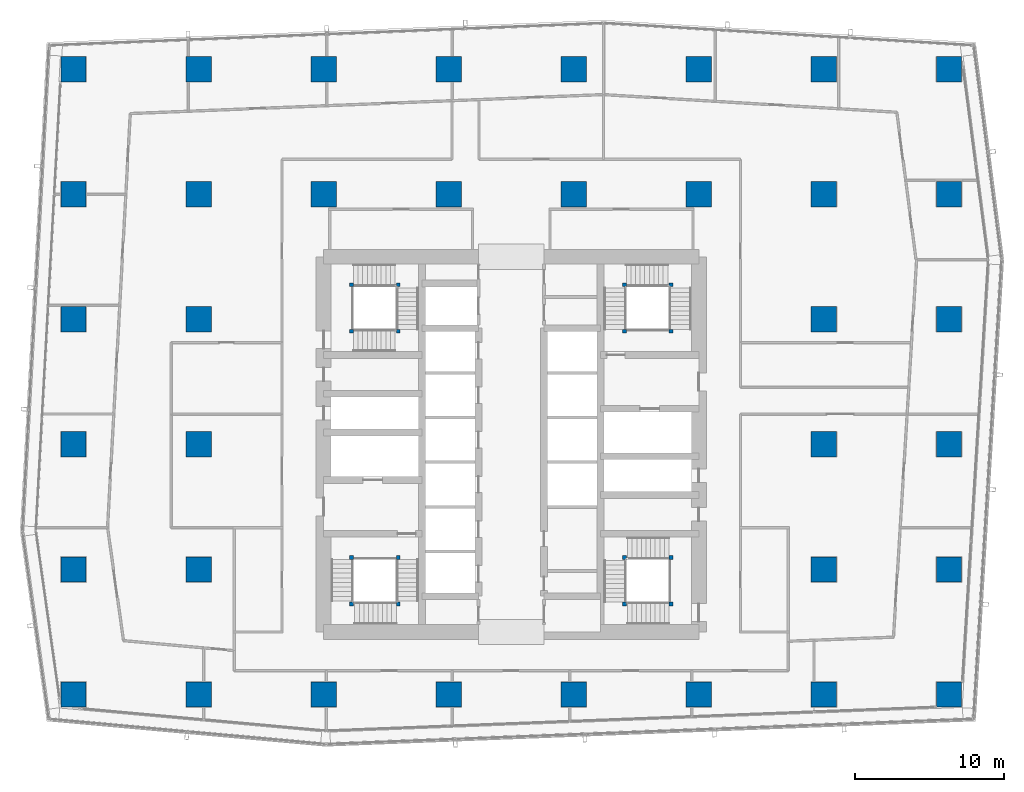
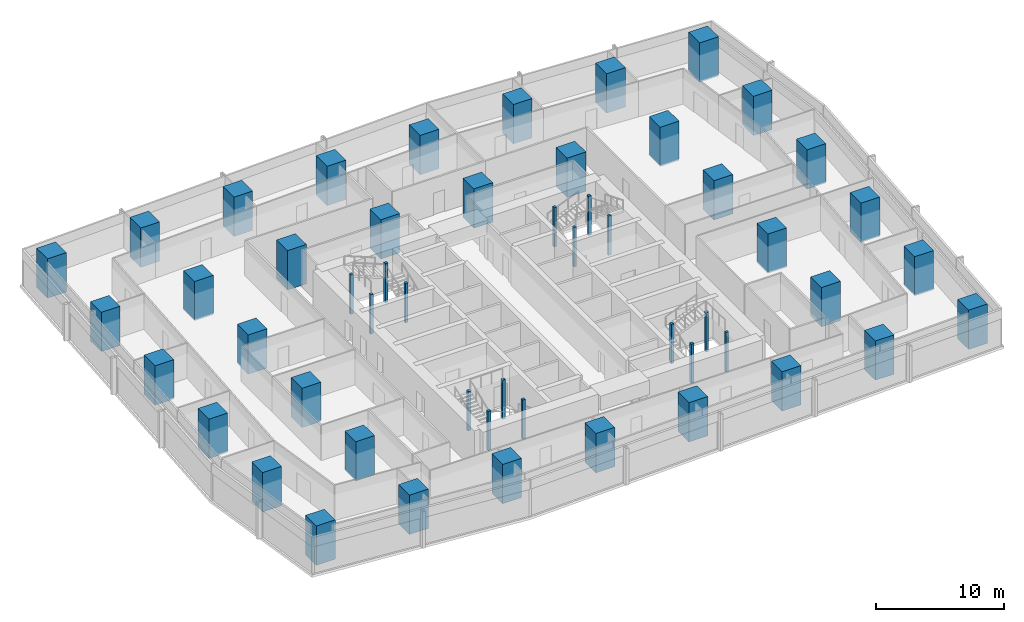
# One storey, part 1 of 40: 52 columns.
"""IFC4 building model written with IfcOpenShell, lengths in metres."""

from ifc_helpers import new_model, si_unit, direction, frame, origin, origin_2d, place, context, subcontext, project, spatial, rectangle, extrude, material, material_profile, profile_set, type_object, element, save


model = new_model("IFC4")

# Units and contexts
model_context = context("Model", 3, precision=1e-05, world=origin(), true_north=direction((0.0, 1.0)))
body_context = subcontext(model_context, "Body", "Model", "MODEL_VIEW")
ifc_project = project(units=[si_unit("LENGTHUNIT", "METRE"), si_unit("AREAUNIT", "SQUARE_METRE"), si_unit("VOLUMEUNIT", "CUBIC_METRE"), si_unit("PLANEANGLEUNIT", "RADIAN"), si_unit("MASSUNIT", "GRAM", prefix="KILO")], contexts=[model_context])

# Site, building, storey
site_placement = place(None, origin())
site = spatial("IfcSite", under=ifc_project, at=site_placement, CompositionType="ELEMENT")
building_placement = place(site_placement, origin())
building = spatial("IfcBuilding", under=site, at=building_placement, Name="Rekha Terrace Tower", CompositionType="ELEMENT")
storey_placement = place(building_placement, frame((0.0, 0.0, 117.800048828125)))
storey = spatial("IfcBuildingStorey", under=building, at=storey_placement, Name="L29", CompositionType="ELEMENT", Elevation=117.800048828125)

# Columns
ifc_material_1 = material(Name="Concrete M70", Category="concrete")
ifc_material_profile_1 = material_profile(ifc_material_1, rectangle(XDim=1.699951171875, YDim=1.699951171875, at=origin_2d()), Name="RC 1700x1700")
ifc_profile_set_1 = profile_set([ifc_material_profile_1], Name="Concrete M70")
column_type_1 = type_object("IfcColumnType", Name="C3 1700x1700 column", PredefinedType="COLUMN", material=ifc_profile_set_1)
for number, where, z_axis, x_axis, name in (
    (1, (8.39990234375, 16.800048828125, 0.0), (0.0, 0.0, 1.0), (1.0, 0.0, 0.0), "Column C3 2/C L29"),
    (2, (8.39990234375, 25.199951171875, 0.0), (0.0, 0.0, 1.0), (1.0, 0.0, 0.0), "Column C3 2/D L29"),
    (3, (8.39990234375, 33.60009765625, 0.0), (0.0, 0.0, 1.0), (1.0, 0.0, 0.0), "Column C3 2/E L29"),
    (4, (8.39990234375, 42.0, 0.0), (0.0, 0.0, 1.0), (1.0, 0.0, 0.0), "Column C3 2/F L29"),
    (5, (8.39990234375, 50.39990234375, 0.0), (0.0, 0.0, 1.0), (1.0, 0.0, 0.0), "Column C3 2/G L29"),
    (6, (8.39990234375, 58.800048828125, 0.0), (0.0, 0.0, 1.0), (1.0, 0.0, 0.0), "Column C3 2/H L29"),
    (7, (16.800048828125, 16.800048828125, 0.0), (0.0, 0.0, 1.0), (1.0, 0.0, 0.0), "Column C3 3/C L29"),
    (8, (16.800048828125, 25.199951171875, 0.0), (0.0, 0.0, 1.0), (1.0, 0.0, 0.0), "Column C3 3/D L29"),
    (9, (16.800048828125, 33.60009765625, 0.0), (0.0, 0.0, 1.0), (1.0, 0.0, 0.0), "Column C3 3/E L29"),
    (10, (16.800048828125, 42.0, 0.0), (0.0, 0.0, 1.0), (1.0, 0.0, 0.0), "Column C3 3/F L29"),
    (11, (16.800048828125, 50.39990234375, 0.0), (0.0, 0.0, 1.0), (1.0, 0.0, 0.0), "Column C3 3/G L29"),
    (12, (16.800048828125, 58.800048828125, 0.0), (0.0, 0.0, 1.0), (1.0, 0.0, 0.0), "Column C3 3/H L29"),
    (13, (25.199951171875, 16.800048828125, 0.0), (0.0, 0.0, 1.0), (1.0, 0.0, 0.0), "Column C3 4/C L29"),
    (14, (25.199951171875, 50.39990234375, 0.0), (0.0, 0.0, 1.0), (1.0, 0.0, 0.0), "Column C3 4/G L29"),
    (15, (25.199951171875, 58.800048828125, 0.0), (0.0, 0.0, 1.0), (1.0, 0.0, 0.0), "Column C3 4/H L29"),
    (16, (33.60009765625, 16.800048828125, 0.0), (0.0, 0.0, 1.0), (1.0, 0.0, 0.0), "Column C3 5/C L29"),
    (17, (33.60009765625, 50.39990234375, 0.0), (0.0, 0.0, 1.0), (1.0, 0.0, 0.0), "Column C3 5/G L29"),
    (18, (33.60009765625, 58.800048828125, 0.0), (0.0, 0.0, 1.0), (1.0, 0.0, 0.0), "Column C3 5/H L29"),
    (19, (42.0, 16.800048828125, 0.0), (0.0, 0.0, 1.0), (1.0, 0.0, 0.0), "Column C3 6/C L29"),
    (20, (42.0, 50.39990234375, 0.0), (0.0, 0.0, 1.0), (1.0, 0.0, 0.0), "Column C3 6/G L29"),
    (21, (42.0, 58.800048828125, 0.0), (0.0, 0.0, 1.0), (1.0, 0.0, 0.0), "Column C3 6/H L29"),
    (22, (50.39990234375, 16.800048828125, 0.0), (0.0, 0.0, 1.0), (1.0, 0.0, 0.0), "Column C3 7/C L29"),
    (23, (50.39990234375, 50.39990234375, 0.0), (0.0, 0.0, 1.0), (1.0, 0.0, 0.0), "Column C3 7/G L29"),
    (24, (50.39990234375, 58.800048828125, 0.0), (0.0, 0.0, 1.0), (1.0, 0.0, 0.0), "Column C3 7/H L29"),
    (25, (58.800048828125, 16.800048828125, 0.0), (0.0, 0.0, 1.0), (1.0, 0.0, 0.0), "Column C3 8/C L29"),
    (26, (58.800048828125, 25.199951171875, 0.0), (0.0, 0.0, 1.0), (1.0, 0.0, 0.0), "Column C3 8/D L29"),
    (27, (58.800048828125, 33.60009765625, 0.0), (0.0, 0.0, 1.0), (1.0, 0.0, 0.0), "Column C3 8/E L29"),
    (28, (58.800048828125, 42.0, 0.0), (0.0, 0.0, 1.0), (1.0, 0.0, 0.0), "Column C3 8/F L29"),
    (29, (58.800048828125, 50.39990234375, 0.0), (0.0, 0.0, 1.0), (1.0, 0.0, 0.0), "Column C3 8/G L29"),
    (30, (58.800048828125, 58.800048828125, 0.0), (0.0, 0.0, 1.0), (1.0, 0.0, 0.0), "Column C3 8/H L29"),
    (31, (67.199951171875, 16.800048828125, 0.0), (0.0, 0.0, 1.0), (1.0, 0.0, 0.0), "Column C3 9/C L29"),
    (32, (67.199951171875, 25.199951171875, 0.0), (0.0, 0.0, 1.0), (1.0, 0.0, 0.0), "Column C3 9/D L29"),
    (33, (67.199951171875, 33.60009765625, 0.0), (0.0, 0.0, 1.0), (1.0, 0.0, 0.0), "Column C3 9/E L29"),
    (34, (67.199951171875, 42.0, 0.0), (0.0, 0.0, 1.0), (1.0, 0.0, 0.0), "Column C3 9/F L29"),
    (35, (67.199951171875, 50.39990234375, 0.0), (0.0, 0.0, 1.0), (1.0, 0.0, 0.0), "Column C3 9/G L29"),
    (36, (67.199951171875, 58.800048828125, 0.0), (0.0, 0.0, 1.0), (1.0, 0.0, 0.0), "Column C3 9/H L29"),
):
    element("IfcColumn", number, at=place(storey_placement, frame(where, z_axis=z_axis, x_axis=x_axis)), inside=storey, type_object=column_type_1, Name=name, PredefinedType="COLUMN", context=body_context, shape_type="SweptSolid", body=[
        extrude(rectangle(XDim=1.699951171875, YDim=1.699951171875, at=origin_2d()), origin(), (0.0, 0.0, 1.0), 3.75),
    ])
ifc_material_2 = material(Name="Concrete M60", Category="concrete")
ifc_material_profile_2 = material_profile(ifc_material_2, rectangle(XDim=0.25, YDim=0.25, at=origin_2d()), Name="RC 250x250")
ifc_profile_set_2 = profile_set([ifc_material_profile_2], Name="Concrete M60")
column_type_2 = type_object("IfcColumnType", Name="NP1 250x250 stair newel post", PredefinedType="COLUMN", material=ifc_profile_set_2)
for number, where, z_axis, x_axis, name in (
    (37, (30.199951171875, 26.0, 0.0), (0.0, 0.0, 1.0), (1.0, 0.0, 0.0), "Stair newel post NP1"),
    (38, (30.199951171875, 22.875, 0.0), (0.0, 0.0, 1.0), (1.0, 0.0, 0.0), "Stair newel post NP1"),
    (39, (27.074951171875, 22.875, 0.0), (0.0, 0.0, 1.0), (1.0, 0.0, 0.0), "Stair newel post NP1"),
    (40, (27.074951171875, 26.0, 0.0), (0.0, 0.0, 1.0), (1.0, 0.0, 0.0), "Stair newel post NP1"),
    (41, (45.39990234375, 41.199951171875, 0.0), (0.0, 0.0, 1.0), (1.0, 0.0, 0.0), "Stair newel post NP1"),
    (42, (45.39990234375, 44.324951171875, 0.0), (0.0, 0.0, 1.0), (1.0, 0.0, 0.0), "Stair newel post NP1"),
    (43, (48.52490234375, 44.324951171875, 0.0), (0.0, 0.0, 1.0), (1.0, 0.0, 0.0), "Stair newel post NP1"),
    (44, (48.52490234375, 41.199951171875, 0.0), (0.0, 0.0, 1.0), (1.0, 0.0, 0.0), "Stair newel post NP1"),
    (45, (48.52490234375, 22.875, 0.0), (0.0, 0.0, 1.0), (1.0, 0.0, 0.0), "Stair newel post NP1"),
    (46, (45.39990234375, 22.875, 0.0), (0.0, 0.0, 1.0), (1.0, 0.0, 0.0), "Stair newel post NP1"),
    (47, (45.39990234375, 26.0, 0.0), (0.0, 0.0, 1.0), (1.0, 0.0, 0.0), "Stair newel post NP1"),
    (48, (48.52490234375, 26.0, 0.0), (0.0, 0.0, 1.0), (1.0, 0.0, 0.0), "Stair newel post NP1"),
    (49, (27.074951171875, 41.199951171875, 0.0), (0.0, 0.0, 1.0), (1.0, 0.0, 0.0), "Stair newel post NP1"),
    (50, (30.199951171875, 41.199951171875, 0.0), (0.0, 0.0, 1.0), (1.0, 0.0, 0.0), "Stair newel post NP1"),
    (51, (30.199951171875, 44.324951171875, 0.0), (0.0, 0.0, 1.0), (1.0, 0.0, 0.0), "Stair newel post NP1"),
    (52, (27.074951171875, 44.324951171875, 0.0), (0.0, 0.0, 1.0), (1.0, 0.0, 0.0), "Stair newel post NP1"),
):
    element("IfcColumn", number, at=place(storey_placement, frame(where, z_axis=z_axis, x_axis=x_axis)), inside=storey, type_object=column_type_2, Name=name, PredefinedType="COLUMN", context=body_context, shape_type="SweptSolid", body=[
        extrude(rectangle(XDim=0.25, YDim=0.25, at=origin_2d()), origin(), (0.0, 0.0, 1.0), 3.75),
    ])

save(model, "model.ifc")
